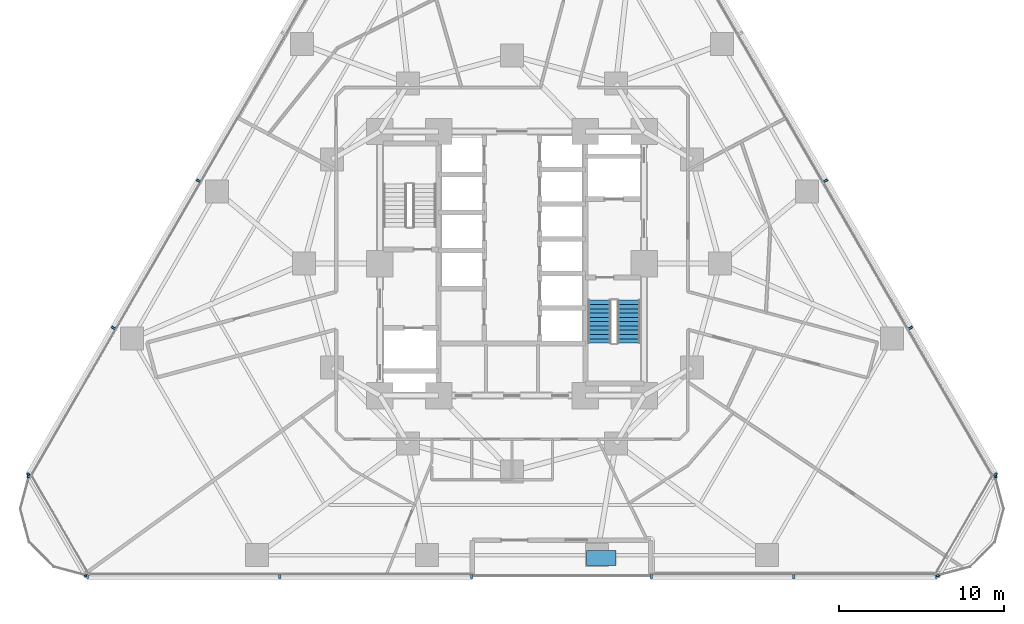
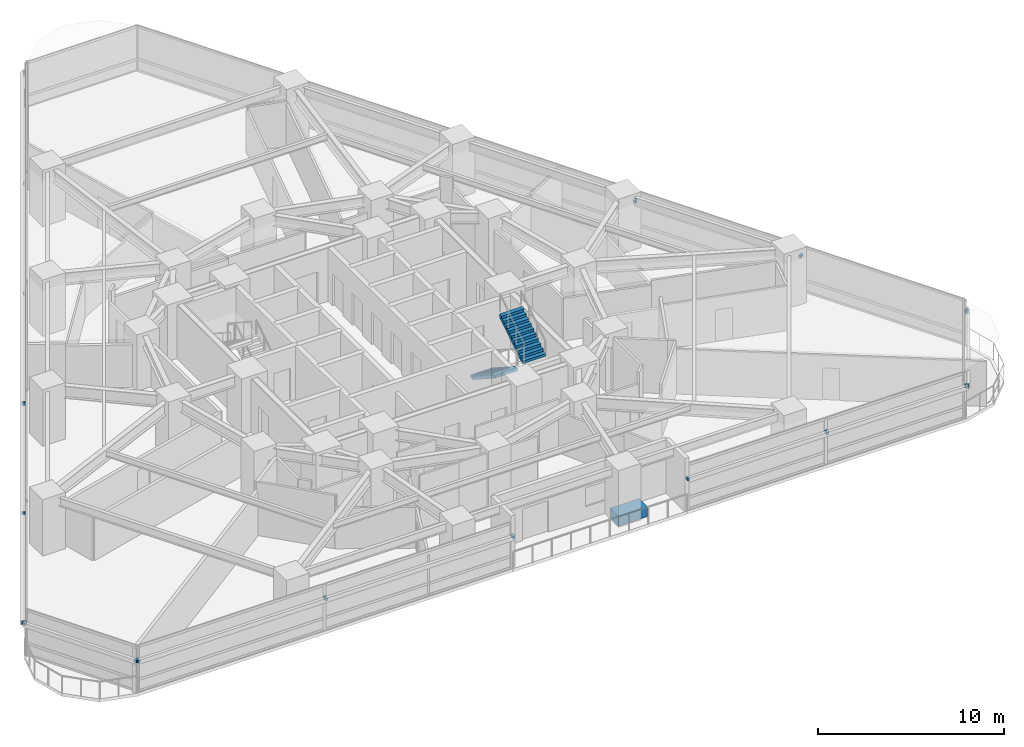
# One storey, part 11 of 16: 17 discrete accessories, 2 stair flights, 1 element without a shape of its own.
"""IFC4 building model written with IfcOpenShell, lengths in metres."""

from ifc_helpers import new_model, si_unit, direction, frame, origin, origin_2d, place, context, subcontext, project, spatial, polyline, rectangle, outline, extrude, material, type_object, element, aggregate, save


model = new_model("IFC4")

# Units and contexts
model_context = context("Model", 3, precision=1e-05, world=origin(), true_north=direction((0.0, 1.0)))
body_context = subcontext(model_context, "Body", "Model", "MODEL_VIEW")
ifc_project = project(units=[si_unit("LENGTHUNIT", "METRE"), si_unit("AREAUNIT", "SQUARE_METRE"), si_unit("VOLUMEUNIT", "CUBIC_METRE"), si_unit("PLANEANGLEUNIT", "RADIAN"), si_unit("MASSUNIT", "GRAM", prefix="KILO")], contexts=[model_context])

# Site, building, storey
site_placement = place(None, origin())
site = spatial("IfcSite", under=ifc_project, at=site_placement, CompositionType="ELEMENT")
building_placement = place(site_placement, origin())
building = spatial("IfcBuilding", under=site, at=building_placement, Name="Terralouvre Media Tower", CompositionType="ELEMENT")
storey_placement = place(building_placement, frame((0.0, 0.0, 44.5)))
storey = spatial("IfcBuildingStorey", under=building, at=storey_placement, Name="L10", CompositionType="ELEMENT", Elevation=44.5)

# Stair, stair flights
ifc_material_1 = material(Name="Concrete C45/55", Category="concrete")
stair_type = type_object("IfcStairType", Name="Dogleg Stair Assembly ST-02", PredefinedType="HALF_TURN_STAIR", material=ifc_material_1)
stair_placement = place(storey_placement, origin())
stair = element("IfcStair", 1, at=stair_placement, inside=storey, type_object=stair_type, Name="L10 Core Pressurised Exit Stair ST-02", PredefinedType="HALF_TURN_STAIR")
ifc_material_2 = material(Name="Concrete C45/55", Category="concrete")
stair_flight_type = type_object("IfcStairFlightType", Name="Reinforced Concrete Stair Flight SF-RC1", PredefinedType="STRAIGHT", material=ifc_material_2)
stair_flight_1_placement = place(storey_placement, frame((5.300048828125, -2.219970703125, 0.0), z_axis=(0.0, 0.0, 1.0), x_axis=(0.0, -1.0, 0.0)))
stair_flight_1 = element("IfcStairFlight", 2, at=stair_flight_1_placement, type_object=stair_flight_type, Name="ST-02 flight 1", NumberOfRisers=11, NumberOfTreads=10, PredefinedType="STRAIGHT", RiserHeight=0.168181818, TreadLength=0.26, context=body_context, shape_type="SweptSolid", body=[
    extrude(outline(polyline([(0.0, 0.0), (0.0, 0.168212890625), (0.260009765625, 0.168212890625), (0.260009765625, 0.33642578125), (0.52001953125, 0.33642578125), (0.52001953125, 0.504638671875), (0.780029296875, 0.504638671875), (0.780029296875, 0.672607421875), (1.0400390625, 0.672607421875), (1.0400390625, 0.8408203125), (1.300048828125, 0.8408203125), (1.300048828125, 1.009033203125), (1.56005859375, 1.009033203125), (1.56005859375, 1.17724609375), (1.820068359375, 1.17724609375), (1.820068359375, 1.345458984375), (2.080078125, 1.345458984375), (2.080078125, 1.513671875), (2.340087890625, 1.513671875), (2.340087890625, 1.681884765625), (2.60009765625, 1.681884765625), (2.60009765625, 1.85009765625), (2.60009765625, 1.503173828125), (0.27587890625, 0.0), (0.0, 0.0)])), frame((0.0, 0.699951171875, 0.0), z_axis=(0.0, -1.0, 0.0), x_axis=(1.0, 0.0, 0.0)), (0.0, 0.0, 1.0), 1.39990234375),
])
stair_flight_2_placement = place(storey_placement, frame((7.080078125, -4.820068359375, 1.85009765625), z_axis=(0.0, 0.0, 1.0), x_axis=(0.0, 1.0, 0.0)))
stair_flight_2 = element("IfcStairFlight", 3, at=stair_flight_2_placement, type_object=stair_flight_type, Name="ST-02 flight 2", NumberOfRisers=11, NumberOfTreads=10, PredefinedType="STRAIGHT", RiserHeight=0.168181818, TreadLength=0.26, context=body_context, shape_type="SweptSolid", body=[
    extrude(outline(polyline([(0.0, 0.0), (0.0, 0.168212890625), (0.260009765625, 0.168212890625), (0.260009765625, 0.33642578125), (0.52001953125, 0.33642578125), (0.52001953125, 0.504638671875), (0.780029296875, 0.504638671875), (0.780029296875, 0.672607421875), (1.0400390625, 0.672607421875), (1.0400390625, 0.8408203125), (1.300048828125, 0.8408203125), (1.300048828125, 1.009033203125), (1.56005859375, 1.009033203125), (1.56005859375, 1.17724609375), (1.820068359375, 1.17724609375), (1.820068359375, 1.345458984375), (2.080078125, 1.345458984375), (2.080078125, 1.513671875), (2.340087890625, 1.513671875), (2.340087890625, 1.681884765625), (2.60009765625, 1.681884765625), (2.60009765625, 1.85009765625), (2.60009765625, 1.503173828125), (0.27587890625, 0.0), (0.0, 0.0)])), frame((0.0, 0.699951171875, 0.0), z_axis=(0.0, -1.0, 0.0), x_axis=(1.0, 0.0, 0.0)), (0.0, 0.0, 1.0), 1.39990234375),
])
aggregate(stair, [stair_flight_1, stair_flight_2])

# Discrete accessories
ifc_material_3 = material(Name="Anodised extruded aluminium 6063-T6", Category="aluminium")
discrete_accessory_type_1 = type_object("IfcDiscreteAccessoryType", Name="Mullion Stand-Off Baguette Fixing Bracket BK-01", PredefinedType="BRACKET", material=ifc_material_3)
for number, where, z_axis, x_axis, name in (
    (4, (-25.71240234375, -18.956787109375, 2.07421875), (0.0, 0.0, 1.0), (1.0, 0.0, 0.0), "CW-L10-F0L Baguette Outrigger Bracket 1.01"),
    (5, (-14.074951171875, -18.956787109375, 2.07421875), (0.0, 0.0, 1.0), (1.0, 0.0, 0.0), "CW-L10-F0L Baguette Outrigger Bracket 1.02"),
    (6, (-2.4375, -18.956787109375, 2.07421875), (0.0, 0.0, 1.0), (1.0, 0.0, 0.0), "CW-L10-F0L Baguette Outrigger Bracket 1.03"),
    (7, (8.4375, -18.956787109375, 2.07421875), (0.0, 0.0, 1.0), (1.0, 0.0, 0.0), "CW-L10-F0R Baguette Outrigger Bracket 1.01"),
    (8, (17.074951171875, -18.956787109375, 2.07421875), (0.0, 0.0, 1.0), (1.0, 0.0, 0.0), "CW-L10-F0R Baguette Outrigger Bracket 1.02"),
    (9, (25.71240234375, -18.956787109375, 2.07421875), (0.0, 0.0, 1.0), (1.0, 0.0, 0.0), "CW-L10-F0R Baguette Outrigger Bracket 1.03"),
    (10, (29.273193359375, -12.789306640625, 2.07421875), (0.0, 0.0, 1.0), (-0.499999985671, 0.866025412057, 0.0), "CW-L10-F1 Baguette Outrigger Bracket 1.01"),
    (11, (24.14208984375, -3.901611328125, 2.07421875), (0.0, 0.0, 1.0), (-0.499999985671, 0.866025412057, 0.0), "CW-L10-F1 Baguette Outrigger Bracket 1.02"),
    (12, (18.991943359375, 5.018310546875, 2.07421875), (0.0, 0.0, 1.0), (-0.499999985671, 0.866025412057, 0.0), "CW-L10-F1 Baguette Outrigger Bracket 1.03"),
    (13, (-18.991943359375, 5.018310546875, 2.07421875), (0.0, 0.0, 1.0), (-0.499999985671, -0.866025412057, 0.0), "CW-L10-F2 Baguette Outrigger Bracket 1.04"),
    (14, (-24.14208984375, -3.901611328125, 2.07421875), (0.0, 0.0, 1.0), (-0.499999985671, -0.866025412057, 0.0), "CW-L10-F2 Baguette Outrigger Bracket 1.05"),
    (15, (-29.273193359375, -12.789306640625, 2.07421875), (0.0, 0.0, 1.0), (-0.499999985671, -0.866025412057, 0.0), "CW-L10-F2 Baguette Outrigger Bracket 1.06"),
    (16, (-29.255859375, -12.88427734375, 2.07421875), (0.0, 0.0, 1.0), (0.499999691503, -0.866025581895, 0.0), "CW-L10-C0 Baguette Outrigger Bracket 1.01"),
    (17, (-25.7861328125, -18.894287109375, 2.07421875), (0.0, 0.0, 1.0), (0.499999691503, -0.866025581895, 0.0), "CW-L10-C0 Baguette Outrigger Bracket 1.02"),
    (18, (25.7861328125, -18.894287109375, 2.07421875), (0.0, 0.0, 1.0), (0.499999691503, 0.866025581895, 0.0), "CW-L10-C1 Baguette Outrigger Bracket 1.01"),
    (19, (29.255859375, -12.88427734375, 2.07421875), (0.0, 0.0, 1.0), (0.499999691503, 0.866025581895, 0.0), "CW-L10-C1 Baguette Outrigger Bracket 1.02"),
):
    element("IfcDiscreteAccessory", number, at=place(storey_placement, frame(where, z_axis=z_axis, x_axis=x_axis)), inside=storey, type_object=discrete_accessory_type_1, Name=name, PredefinedType="BRACKET", context=body_context, shape_type="SweptSolid", body=[
        extrude(rectangle(XDim=0.139892578125, YDim=0.239990234375, at=origin_2d()), origin(), (0.0, 0.0, 1.0), 0.179931640625),
    ])
ifc_material_4 = material(Name="Kiln-fired architectural terracotta rainscreen cladding", Category="masonry")
discrete_accessory_type_2 = type_object("IfcDiscreteAccessoryType", Name="Planted Tropical Garden Bed Planter PLT-01", PredefinedType="USERDEFINED", material=ifc_material_4)
discrete_accessory_placement = place(storey_placement, frame((5.39990234375, -17.841796875, -0.0048828125), z_axis=(0.0, 0.0, 1.0), x_axis=(1.0, 0.0, 0.0)))
element("IfcDiscreteAccessory", 20, at=discrete_accessory_placement, inside=storey, type_object=discrete_accessory_type_2, Name="L10 SG Planted Garden Bed Planter", ObjectType="PLANTER", PredefinedType="USERDEFINED", context=body_context, shape_type="SweptSolid", body=[
    extrude(rectangle(XDim=1.800048828125, YDim=0.89990234375, at=origin_2d()), origin(), (0.0, 0.0, 1.0), 0.64990234375),
])

save(model, "model.ifc")
